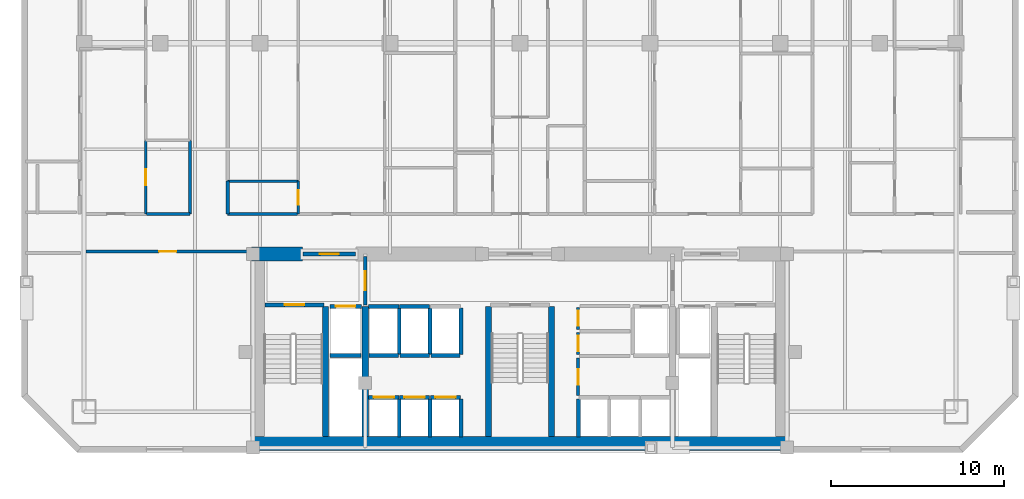
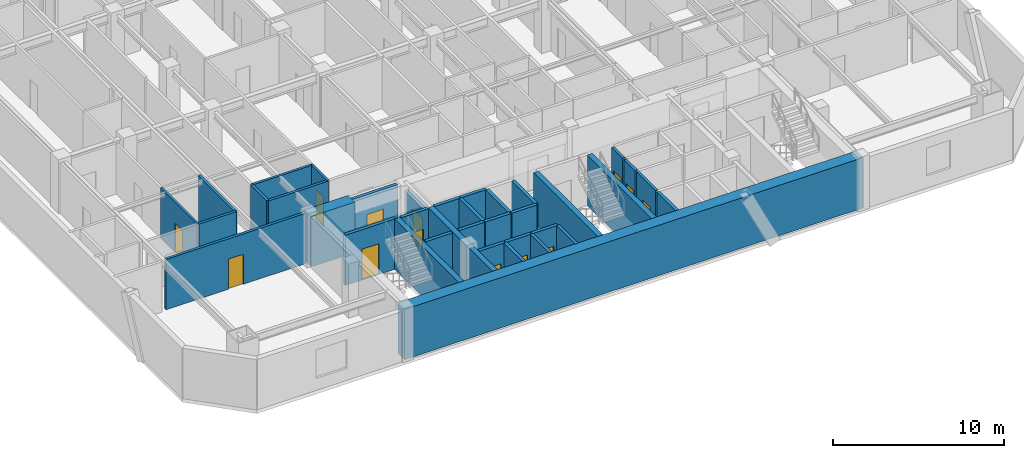
# One storey, part 3 of 10: 37 walls, 13 doors, 13 openings.
"""IFC4 building model written with IfcOpenShell, lengths in metres."""

from ifc_helpers import new_model, si_unit, direction, frame, frame_2d, origin, place, context, subcontext, project, spatial, rectangle, extrude, material, layer, layer_set, type_object, element, fill, save


model = new_model("IFC4")

# Units and contexts
model_context = context("Model", 3, precision=1e-05, world=origin(), true_north=direction((0.0, 1.0)))
body_context = subcontext(model_context, "Body", "Model", "MODEL_VIEW")
ifc_project = project(units=[si_unit("LENGTHUNIT", "METRE"), si_unit("AREAUNIT", "SQUARE_METRE"), si_unit("VOLUMEUNIT", "CUBIC_METRE"), si_unit("PLANEANGLEUNIT", "RADIAN"), si_unit("MASSUNIT", "GRAM", prefix="KILO")], contexts=[model_context])

# Site, building, storey
site_placement = place(None, origin())
site = spatial("IfcSite", under=ifc_project, at=site_placement, CompositionType="ELEMENT")
building_placement = place(site_placement, origin())
building = spatial("IfcBuilding", under=site, at=building_placement, Name="Ventersveld Concourse Tower", CompositionType="ELEMENT")
storey_placement = place(building_placement, frame((0.0, 0.0, 41.35009765625)))
storey = spatial("IfcBuildingStorey", under=building, at=storey_placement, Name="L09", CompositionType="ELEMENT", Elevation=41.35009765625)

# Walls
ifc_material_1 = material(Name="Concrete C60/75", Category="concrete")
ifc_layer_1 = layer(ifc_material_1, 0.35009765625)
ifc_layer_set_1 = layer_set([ifc_layer_1], Name="Concrete C60/75")
wall_type_1 = type_object("IfcWallType", Name="WL-CORE-350L", PredefinedType="SHEAR", material=ifc_layer_set_1)
for number, where, z_axis, x_axis, name in (
    (1, (17.5400390625, 0.919921875, 0.0), (0.0, 0.0, 1.0), (0.0, 1.0, 0.0), "L09 Core Internal Shear Web W-ST1-E"),
    (2, (19.820068359375, 0.919921875, 0.0), (0.0, 0.0, 1.0), (0.0, 1.0, 0.0), "L09 Core Internal Shear Web W-FF1-E"),
    (3, (26.93994140625, 0.919921875, 0.0), (0.0, 0.0, 1.0), (0.0, 1.0, 0.0), "L09 Core Internal Shear Web W-ST3-W"),
    (4, (30.56005859375, 0.919921875, 0.0), (0.0, 0.0, 1.0), (0.0, 1.0, 0.0), "L09 Core Internal Shear Web W-ST3-E"),
):
    element("IfcWall", number, at=place(storey_placement, frame(where, z_axis=z_axis, x_axis=x_axis)), inside=storey, type_object=wall_type_1, Name=name, PredefinedType="SHEAR", context=body_context, shape_type="SweptSolid", body=[
        extrude(rectangle(XDim=7.5, YDim=0.35009765625, at=frame_2d((3.75, 0.0))), origin(), (0.0, 0.0, 1.0), 3.599853515625),
    ])
ifc_layer_2 = layer(ifc_material_1, 0.800048828125)
ifc_layer_set_2 = layer_set([ifc_layer_2], Name="Concrete C60/75")
wall_type_2 = type_object("IfcWallType", Name="WL-CORE-800", PredefinedType="SHEAR", material=ifc_layer_set_2)
wall_1_placement = place(storey_placement, frame((13.25, 0.52001953125, 0.0), z_axis=(0.0, 0.0, 1.0), x_axis=(1.0, 0.0, 0.0)))
element("IfcWall", 5, at=wall_1_placement, inside=storey, type_object=wall_type_2, Name="L09 Rear Core South Shear Wall", PredefinedType="SHEAR", context=body_context, shape_type="SweptSolid", body=[
    extrude(rectangle(XDim=31.0, YDim=0.800048828125, at=frame_2d((15.5, 0.0))), origin(), (0.0, 0.0, 1.0), 3.599853515625),
])
wall_2_placement = place(storey_placement, frame((13.25, 11.449951171875, 0.0), z_axis=(0.0, 0.0, 1.0), x_axis=(1.0, 0.0, 0.0)))
element("IfcWall", 6, at=wall_2_placement, inside=storey, type_object=wall_type_2, Name="L09 Rear Core North Shear Wall NW", PredefinedType="SHEAR", context=body_context, shape_type="SweptSolid", body=[
    extrude(rectangle(XDim=2.949951171875, YDim=0.800048828125, at=frame_2d((1.47509765625, 0.0))), origin(), (0.0, 0.0, 1.0), 3.599853515625),
])

# Wall, opening, door
ifc_material_2 = material(Name="Fire-rated autoclaved aerated masonry blockwork", Category="masonry")
ifc_layer_3 = layer(ifc_material_2, 0.179931640625)
ifc_layer_set_3 = layer_set([ifc_layer_3], Name="Fire-rated autoclaved aerated masonry blockwork")
wall_type_3 = type_object("IfcWallType", Name="WL-CORR-180", PredefinedType="PARTITIONING", material=ifc_layer_set_3)
wall_3_placement = place(storey_placement, frame((32.10009765625, 5.64990234375, 0.0), z_axis=(0.0, 0.0, 1.0), x_axis=(0.0, 1.0, 0.0)))
wall_3 = element("IfcWall", 7, at=wall_3_placement, inside=storey, type_object=wall_type_3, Name="L09 Core Passage Wall SP-L09-CBAY1S", PredefinedType="PARTITIONING", context=body_context, shape_type="SweptSolid", body=[
    extrude(rectangle(XDim=1.27001953125, YDim=0.179931640625, at=frame_2d((0.635009765625, 0.0))), origin(), (0.0, 0.0, 1.0), 3.599853515625),
])
opening_1_placement = place(wall_3_placement, frame((0.195068359375, 0.0, 0.0)))
opening_1 = element("IfcOpeningElement", 8, at=opening_1_placement, cuts=wall_3, Name="Opening FD5", PredefinedType="OPENING", context=body_context, shape_type="SweptSolid", body=[
    extrude(rectangle(XDim=0.8798828125, YDim=2.050048828125, at=frame_2d((0.43994140625, 1.02490234375))), frame((0.0, 0.10009765625, 0.0), z_axis=(0.0, -1.0, 0.0), x_axis=(1.0, 0.0, 0.0)), (0.0, 0.0, 1.0), 0.199951171875),
])
ifc_material_3 = material(Name="Galvanised painted steel", Category="steel")
door_type_1 = type_object("IfcDoorType", Name="DR-RISER-088", OperationType="NOTDEFINED", PredefinedType="DOOR", material=ifc_material_3)
door_1_placement = place(opening_1_placement, origin())
door_1 = element("IfcDoor", 9, at=door_1_placement, inside=storey, type_object=door_type_1, Name="L09 Core Room Door L09 Core Cleaner Store (CD-L09-0303)", OperationType="SINGLE_SWING_RIGHT", OverallHeight=2.050048828125, OverallWidth=0.8798828125, PredefinedType="DOOR", context=body_context, shape_type="SweptSolid", body=[
    extrude(rectangle(XDim=0.8798828125, YDim=2.050048828125, at=frame_2d((0.43994140625, 1.02490234375))), frame((0.0, 0.02490234375, 0.0), z_axis=(0.0, -1.0, 0.0), x_axis=(1.0, 0.0, 0.0)), (0.0, 0.0, 1.0), 0.050048828125),
])
fill(opening_1, door_1)

wall_4_placement = place(storey_placement, frame((32.10009765625, 7.10009765625, 0.0), z_axis=(0.0, 0.0, 1.0), x_axis=(0.0, 1.0, 0.0)))
wall_4 = element("IfcWall", 10, at=wall_4_placement, inside=storey, type_object=wall_type_3, Name="L09 Core Passage Wall SP-L09-CBAY1N", PredefinedType="PARTITIONING", context=body_context, shape_type="SweptSolid", body=[
    extrude(rectangle(XDim=1.27978515625, YDim=0.179931640625, at=frame_2d((0.639892578125, 0.0))), origin(), (0.0, 0.0, 1.0), 3.599853515625),
])
opening_2_placement = place(wall_4_placement, frame((0.199951171875, 0.0, 0.0)))
opening_2 = element("IfcOpeningElement", 11, at=opening_2_placement, cuts=wall_4, Name="Opening FD5", PredefinedType="OPENING", context=body_context, shape_type="SweptSolid", body=[
    extrude(rectangle(XDim=0.8798828125, YDim=2.050048828125, at=frame_2d((0.43994140625, 1.02490234375))), frame((0.0, 0.10009765625, 0.0), z_axis=(0.0, -1.0, 0.0), x_axis=(1.0, 0.0, 0.0)), (0.0, 0.0, 1.0), 0.199951171875),
])
door_2_placement = place(opening_2_placement, origin())
door_2 = element("IfcDoor", 12, at=door_2_placement, inside=storey, type_object=door_type_1, Name="L09 Core Room Door L09 Core Concierge Desk Room (CD-L09-0304)", OperationType="SINGLE_SWING_LEFT", OverallHeight=2.050048828125, OverallWidth=0.8798828125, PredefinedType="DOOR", context=body_context, shape_type="SweptSolid", body=[
    extrude(rectangle(XDim=0.8798828125, YDim=2.050048828125, at=frame_2d((0.43994140625, 1.02490234375))), frame((0.0, 0.02490234375, 0.0), z_axis=(0.0, -1.0, 0.0), x_axis=(1.0, 0.0, 0.0)), (0.0, 0.0, 1.0), 0.050048828125),
])
fill(opening_2, door_2)

wall_5_placement = place(storey_placement, frame((32.10009765625, 3.280029296875, 0.0), z_axis=(0.0, 0.0, 1.0), x_axis=(0.0, 1.0, 0.0)))
wall_5 = element("IfcWall", 13, at=wall_5_placement, inside=storey, type_object=wall_type_3, Name="L09 Core Passage Wall SP-L09-CBAY2", PredefinedType="PARTITIONING", context=body_context, shape_type="SweptSolid", body=[
    extrude(rectangle(XDim=2.169921875, YDim=0.179931640625, at=frame_2d((1.0849609375, 0.0))), origin(), (0.0, 0.0, 1.0), 3.599853515625),
])
opening_3_placement = place(wall_5_placement, frame((0.64501953125, 0.0, 0.0)))
opening_3 = element("IfcOpeningElement", 14, at=opening_3_placement, cuts=wall_5, Name="Opening FD5", PredefinedType="OPENING", context=body_context, shape_type="SweptSolid", body=[
    extrude(rectangle(XDim=0.8798828125, YDim=2.050048828125, at=frame_2d((0.43994140625, 1.02490234375))), frame((0.0, 0.10009765625, 0.0), z_axis=(0.0, -1.0, 0.0), x_axis=(1.0, 0.0, 0.0)), (0.0, 0.0, 1.0), 0.199951171875),
])
door_3_placement = place(opening_3_placement, origin())
door_3 = element("IfcDoor", 15, at=door_3_placement, inside=storey, type_object=door_type_1, Name="L09 Core Room Door L09 Core Linen Alcove Store (CD-L09-0305)", OperationType="SINGLE_SWING_RIGHT", OverallHeight=2.050048828125, OverallWidth=0.8798828125, PredefinedType="DOOR", context=body_context, shape_type="SweptSolid", body=[
    extrude(rectangle(XDim=0.8798828125, YDim=2.050048828125, at=frame_2d((0.43994140625, 1.02490234375))), frame((0.0, 0.02490234375, 0.0), z_axis=(0.0, -1.0, 0.0), x_axis=(1.0, 0.0, 0.0)), (0.0, 0.0, 1.0), 0.050048828125),
])
fill(opening_3, door_3)

wall_6_placement = place(storey_placement, frame((3.705078125, 11.60009765625, 0.0), z_axis=(0.0, 0.0, 1.0), x_axis=(1.0, 0.0, 0.0)))
wall_6 = element("IfcWall", 16, at=wall_6_placement, inside=storey, type_object=wall_type_3, Name="L09 Interior Partition SP-L09-SW-GAL-SP-L09-COR", PredefinedType="PARTITIONING", context=body_context, shape_type="SweptSolid", body=[
    extrude(rectangle(XDim=9.43994140625, YDim=0.179931640625, at=frame_2d((4.719970703125, 0.0))), origin(), (0.0, 0.0, 1.0), 3.599853515625),
])
opening_4_placement = place(wall_6_placement, frame((4.219970703125, 0.0, 0.0)))
opening_4 = element("IfcOpeningElement", 17, at=opening_4_placement, cuts=wall_6, Name="Opening FD3", PredefinedType="OPENING", context=body_context, shape_type="SweptSolid", body=[
    extrude(rectangle(XDim=1.0, YDim=2.14990234375, at=frame_2d((0.5, 1.074951171875))), frame((0.0, 0.10009765625, 0.0), z_axis=(0.0, -1.0, 0.0), x_axis=(1.0, 0.0, 0.0)), (0.0, 0.0, 1.0), 0.199951171875),
])
ifc_material_4 = material(Name="Solid-core hardwood veneer timber", Category="wood")
door_type_2 = type_object("IfcDoorType", Name="DR-FLAT-100", OperationType="NOTDEFINED", PredefinedType="DOOR", material=ifc_material_4)
door_4_placement = place(opening_4_placement, origin())
door_4 = element("IfcDoor", 18, at=door_4_placement, inside=storey, type_object=door_type_2, Name="L09 Interior Door SP-L09-SW-GAL to SP-L09-COR (D-L09-0306)", OperationType="SINGLE_SWING_RIGHT", OverallHeight=2.14990234375, OverallWidth=1.0, PredefinedType="DOOR", context=body_context, shape_type="SweptSolid", body=[
    extrude(rectangle(XDim=1.0, YDim=2.14990234375, at=frame_2d((0.5, 1.074951171875))), frame((0.0, 0.02490234375, 0.0), z_axis=(0.0, -1.0, 0.0), x_axis=(1.0, 0.0, 0.0)), (0.0, 0.0, 1.0), 0.050048828125),
])
fill(opening_4, door_4)

# Walls
wall_7_placement = place(storey_placement, frame((9.7099609375, 13.764892578125, 0.0), z_axis=(0.0, 0.0, 1.0), x_axis=(0.0, 1.0, 0.0)))
element("IfcWall", 19, at=wall_7_placement, inside=storey, type_object=wall_type_3, Name="L09 Interior Partition SP-L09-COR-SP-L09-09NW-KIT", PredefinedType="PARTITIONING", context=body_context, shape_type="SweptSolid", body=[
    extrude(rectangle(XDim=4.24560546875, YDim=0.179931640625, at=frame_2d((2.122802734375, 0.0))), origin(), (0.0, 0.0, 1.0), 3.599853515625),
])
wall_8_placement = place(storey_placement, frame((7.197998046875, 13.77001953125, 0.0), z_axis=(0.0, 0.0, 1.0), x_axis=(1.0, 0.0, 0.0)))
element("IfcWall", 20, at=wall_8_placement, inside=storey, type_object=wall_type_3, Name="L09 Interior Partition SP-L09-COR-SP-L09-09NW-KIT", PredefinedType="PARTITIONING", context=body_context, shape_type="SweptSolid", body=[
    extrude(rectangle(XDim=2.51708984375, YDim=0.179931640625, at=frame_2d((1.258544921875, 0.0))), origin(), (0.0, 0.0, 1.0), 3.599853515625),
])
wall_9_placement = place(storey_placement, frame((11.885009765625, 13.77001953125, 0.0), z_axis=(0.0, 0.0, 1.0), x_axis=(1.0, 0.0, 0.0)))
element("IfcWall", 21, at=wall_9_placement, inside=storey, type_object=wall_type_3, Name="L09 Interior Partition SP-L09-COR-SP-L09-09CW-BATH", PredefinedType="PARTITIONING", context=body_context, shape_type="SweptSolid", body=[
    extrude(rectangle(XDim=4.0400390625, YDim=0.179931640625, at=frame_2d((2.02001953125, 0.0))), origin(), (0.0, 0.0, 1.0), 3.599853515625),
])
wall_10_placement = place(storey_placement, frame((11.889892578125, 13.764892578125, 0.0), z_axis=(0.0, 0.0, 1.0), x_axis=(0.0, 1.0, 0.0)))
element("IfcWall", 22, at=wall_10_placement, inside=storey, type_object=wall_type_3, Name="L09 Interior Partition SP-L09-COR-SP-L09-09CW-BATH", PredefinedType="PARTITIONING", context=body_context, shape_type="SweptSolid", body=[
    extrude(rectangle(XDim=1.88671875, YDim=0.179931640625, at=frame_2d((0.943359375, 0.0))), origin(), (0.0, 0.0, 1.0), 3.599853515625),
])
ifc_layer_4 = layer(ifc_material_2, 0.219970703125)
ifc_layer_set_4 = layer_set([ifc_layer_4], Name="Fire-rated autoclaved aerated masonry blockwork")
wall_type_4 = type_object("IfcWallType", Name="WL-HOIST-220", PredefinedType="SOLIDWALL", material=ifc_layer_set_4)
wall_11_placement = place(storey_placement, frame((17.800048828125, 5.590087890625, 0.0), z_axis=(0.0, 0.0, 1.0), x_axis=(1.0, 0.0, 0.0)))
element("IfcWall", 23, at=wall_11_placement, inside=storey, type_object=wall_type_4, Name="L09 Lift Hoistway Back Wall FFL-01", PredefinedType="SOLIDWALL", context=body_context, shape_type="SweptSolid", body=[
    extrude(rectangle(XDim=1.780029296875, YDim=0.219970703125, at=frame_2d((0.89013671875, 0.0))), origin(), (0.0, 0.0, 1.0), 3.599853515625),
])

# Wall, opening, door
wall_12_placement = place(storey_placement, frame((17.780029296875, 8.429931640625, 0.0), z_axis=(0.0, 0.0, 1.0), x_axis=(1.0, 0.0, 0.0)))
wall_12 = element("IfcWall", 24, at=wall_12_placement, inside=storey, type_object=wall_type_4, Name="L09 Lift Hoistway Front Wall FFL-01", PredefinedType="SOLIDWALL", context=body_context, shape_type="SweptSolid", body=[
    extrude(rectangle(XDim=1.820068359375, YDim=0.219970703125, at=frame_2d((0.91015625, 0.0))), origin(), (0.0, 0.0, 1.0), 3.599853515625),
])
opening_5_placement = place(wall_12_placement, frame((0.35009765625, 0.0, 0.0)))
opening_5 = element("IfcOpeningElement", 25, at=opening_5_placement, cuts=wall_12, Name="Opening LD1", PredefinedType="OPENING", context=body_context, shape_type="SweptSolid", body=[
    extrude(rectangle(XDim=1.1201171875, YDim=2.25, at=frame_2d((0.56005859375, 1.125))), frame((0.0, 0.1201171875, 0.0), z_axis=(0.0, -1.0, 0.0), x_axis=(1.0, 0.0, 0.0)), (0.0, 0.0, 1.0), 0.239990234375),
])
ifc_material_5 = material(Name="Brushed stainless steel 316", Category="steel")
door_type_3 = type_object("IfcDoorType", Name="LD-FF-112", OperationType="SLIDING_TO_LEFT", PredefinedType="DOOR", material=ifc_material_5)
door_5_placement = place(opening_5_placement, origin())
door_5 = element("IfcDoor", 26, at=door_5_placement, inside=storey, type_object=door_type_3, Name="L09 Lift landing door FFL-01 (LD-L09-FFL-01)", OperationType="SLIDING_TO_LEFT", OverallHeight=2.25, OverallWidth=1.1201171875, PredefinedType="DOOR", context=body_context, shape_type="SweptSolid", body=[
    extrude(rectangle(XDim=1.1201171875, YDim=2.25, at=frame_2d((0.56005859375, 1.125))), frame((0.0, 0.02490234375, 0.0), z_axis=(0.0, -1.0, 0.0), x_axis=(1.0, 0.0, 0.0)), (0.0, 0.0, 1.0), 0.050048828125),
])
fill(opening_5, door_5)

# Wall
wall_13_placement = place(storey_placement, frame((21.780029296875, 0.89990234375, 0.0), z_axis=(0.0, 0.0, 1.0), x_axis=(0.0, 1.0, 0.0)))
element("IfcWall", 27, at=wall_13_placement, inside=storey, type_object=wall_type_4, Name="L09 Lift Hoistway Side Wall PL-01E", PredefinedType="SOLIDWALL", context=body_context, shape_type="SweptSolid", body=[
    extrude(rectangle(XDim=2.2001953125, YDim=0.219970703125, at=frame_2d((1.10009765625, 0.0))), origin(), (0.0, 0.0, 1.0), 3.599853515625),
])

# Wall, opening, door
wall_14_placement = place(storey_placement, frame((20.02001953125, 3.179931640625, 0.0), z_axis=(0.0, 0.0, 1.0), x_axis=(1.0, 0.0, 0.0)))
wall_14 = element("IfcWall", 28, at=wall_14_placement, inside=storey, type_object=wall_type_4, Name="L09 Lift Hoistway Front Wall PL-01", PredefinedType="SOLIDWALL", context=body_context, shape_type="SweptSolid", body=[
    extrude(rectangle(XDim=1.739990234375, YDim=0.219970703125, at=frame_2d((0.8701171875, 0.0))), origin(), (0.0, 0.0, 1.0), 3.599853515625),
])
opening_6_placement = place(wall_14_placement, frame((0.280029296875, 0.0, 0.0)))
opening_6 = element("IfcOpeningElement", 29, at=opening_6_placement, cuts=wall_14, Name="Opening LD2", PredefinedType="OPENING", context=body_context, shape_type="SweptSolid", body=[
    extrude(rectangle(XDim=1.179931640625, YDim=2.199951171875, at=frame_2d((0.58984375, 1.10009765625))), frame((0.0, 0.1201171875, 0.0), z_axis=(0.0, -1.0, 0.0), x_axis=(1.0, 0.0, 0.0)), (0.0, 0.0, 1.0), 0.239990234375),
])
door_type_4 = type_object("IfcDoorType", Name="LD-PAX-118", OperationType="SLIDING_TO_LEFT", PredefinedType="DOOR", material=ifc_material_5)
door_6_placement = place(opening_6_placement, origin())
door_6 = element("IfcDoor", 30, at=door_6_placement, inside=storey, type_object=door_type_4, Name="L09 Lift landing door PL-01 (LD-L09-PL-01)", OperationType="SLIDING_TO_RIGHT", OverallHeight=2.199951171875, OverallWidth=1.179931640625, PredefinedType="DOOR", context=body_context, shape_type="SweptSolid", body=[
    extrude(rectangle(XDim=1.179931640625, YDim=2.199951171875, at=frame_2d((0.58984375, 1.10009765625))), frame((0.0, 0.02490234375, 0.0), z_axis=(0.0, -1.0, 0.0), x_axis=(1.0, 0.0, 0.0)), (0.0, 0.0, 1.0), 0.050048828125),
])
fill(opening_6, door_6)

# Wall
wall_15_placement = place(storey_placement, frame((23.56005859375, 0.89990234375, 0.0), z_axis=(0.0, 0.0, 1.0), x_axis=(0.0, 1.0, 0.0)))
element("IfcWall", 31, at=wall_15_placement, inside=storey, type_object=wall_type_4, Name="L09 Lift Hoistway Side Wall PL-02E", PredefinedType="SOLIDWALL", context=body_context, shape_type="SweptSolid", body=[
    extrude(rectangle(XDim=2.2001953125, YDim=0.219970703125, at=frame_2d((1.10009765625, 0.0))), origin(), (0.0, 0.0, 1.0), 3.599853515625),
])

# Wall, opening, door
wall_16_placement = place(storey_placement, frame((21.800048828125, 3.179931640625, 0.0), z_axis=(0.0, 0.0, 1.0), x_axis=(1.0, 0.0, 0.0)))
wall_16 = element("IfcWall", 32, at=wall_16_placement, inside=storey, type_object=wall_type_4, Name="L09 Lift Hoistway Front Wall PL-02", PredefinedType="SOLIDWALL", context=body_context, shape_type="SweptSolid", body=[
    extrude(rectangle(XDim=1.739990234375, YDim=0.219970703125, at=frame_2d((0.8701171875, 0.0))), origin(), (0.0, 0.0, 1.0), 3.599853515625),
])
opening_7_placement = place(wall_16_placement, frame((0.280029296875, 0.0, 0.0)))
opening_7 = element("IfcOpeningElement", 33, at=opening_7_placement, cuts=wall_16, Name="Opening LD2", PredefinedType="OPENING", context=body_context, shape_type="SweptSolid", body=[
    extrude(rectangle(XDim=1.179931640625, YDim=2.199951171875, at=frame_2d((0.58984375, 1.10009765625))), frame((0.0, 0.1201171875, 0.0), z_axis=(0.0, -1.0, 0.0), x_axis=(1.0, 0.0, 0.0)), (0.0, 0.0, 1.0), 0.239990234375),
])
door_7_placement = place(opening_7_placement, origin())
door_7 = element("IfcDoor", 34, at=door_7_placement, inside=storey, type_object=door_type_4, Name="L09 Lift landing door PL-02 (LD-L09-PL-02)", OperationType="SLIDING_TO_LEFT", OverallHeight=2.199951171875, OverallWidth=1.179931640625, PredefinedType="DOOR", context=body_context, shape_type="SweptSolid", body=[
    extrude(rectangle(XDim=1.179931640625, YDim=2.199951171875, at=frame_2d((0.58984375, 1.10009765625))), frame((0.0, 0.02490234375, 0.0), z_axis=(0.0, -1.0, 0.0), x_axis=(1.0, 0.0, 0.0)), (0.0, 0.0, 1.0), 0.050048828125),
])
fill(opening_7, door_7)

# Wall
wall_17_placement = place(storey_placement, frame((25.340087890625, 0.89990234375, 0.0), z_axis=(0.0, 0.0, 1.0), x_axis=(0.0, 1.0, 0.0)))
element("IfcWall", 35, at=wall_17_placement, inside=storey, type_object=wall_type_4, Name="L09 Lift Hoistway Side Wall PL-03E", PredefinedType="SOLIDWALL", context=body_context, shape_type="SweptSolid", body=[
    extrude(rectangle(XDim=2.2001953125, YDim=0.219970703125, at=frame_2d((1.10009765625, 0.0))), origin(), (0.0, 0.0, 1.0), 3.599853515625),
])

# Wall, opening, door
wall_18_placement = place(storey_placement, frame((23.580078125, 3.179931640625, 0.0), z_axis=(0.0, 0.0, 1.0), x_axis=(1.0, 0.0, 0.0)))
wall_18 = element("IfcWall", 36, at=wall_18_placement, inside=storey, type_object=wall_type_4, Name="L09 Lift Hoistway Front Wall PL-03", PredefinedType="SOLIDWALL", context=body_context, shape_type="SweptSolid", body=[
    extrude(rectangle(XDim=1.739990234375, YDim=0.219970703125, at=frame_2d((0.8701171875, 0.0))), origin(), (0.0, 0.0, 1.0), 3.599853515625),
])
opening_8_placement = place(wall_18_placement, frame((0.280029296875, 0.0, 0.0)))
opening_8 = element("IfcOpeningElement", 37, at=opening_8_placement, cuts=wall_18, Name="Opening LD2", PredefinedType="OPENING", context=body_context, shape_type="SweptSolid", body=[
    extrude(rectangle(XDim=1.179931640625, YDim=2.199951171875, at=frame_2d((0.58984375, 1.10009765625))), frame((0.0, 0.1201171875, 0.0), z_axis=(0.0, -1.0, 0.0), x_axis=(1.0, 0.0, 0.0)), (0.0, 0.0, 1.0), 0.239990234375),
])
door_8_placement = place(opening_8_placement, origin())
door_8 = element("IfcDoor", 38, at=door_8_placement, inside=storey, type_object=door_type_4, Name="L09 Lift landing door PL-03 (LD-L09-PL-03)", OperationType="SLIDING_TO_RIGHT", OverallHeight=2.199951171875, OverallWidth=1.179931640625, PredefinedType="DOOR", context=body_context, shape_type="SweptSolid", body=[
    extrude(rectangle(XDim=1.179931640625, YDim=2.199951171875, at=frame_2d((0.58984375, 1.10009765625))), frame((0.0, 0.02490234375, 0.0), z_axis=(0.0, -1.0, 0.0), x_axis=(1.0, 0.0, 0.0)), (0.0, 0.0, 1.0), 0.050048828125),
])
fill(opening_8, door_8)

# Walls
wall_19_placement = place(storey_placement, frame((32.1201171875, 0.89990234375, 0.0), z_axis=(0.0, 0.0, 1.0), x_axis=(0.0, 1.0, 0.0)))
element("IfcWall", 39, at=wall_19_placement, inside=storey, type_object=wall_type_4, Name="L09 Lift Hoistway Side Wall PM-01W", PredefinedType="SOLIDWALL", context=body_context, shape_type="SweptSolid", body=[
    extrude(rectangle(XDim=2.2001953125, YDim=0.219970703125, at=frame_2d((1.10009765625, 0.0))), origin(), (0.0, 0.0, 1.0), 3.599853515625),
])
wall_20_placement = place(storey_placement, frame((20.0400390625, 5.590087890625, 0.0), z_axis=(0.0, 0.0, 1.0), x_axis=(1.0, 0.0, 0.0)))
element("IfcWall", 40, at=wall_20_placement, inside=storey, type_object=wall_type_4, Name="L09 Lift Hoistway Back Wall PH-01", PredefinedType="SOLIDWALL", context=body_context, shape_type="SweptSolid", body=[
    extrude(rectangle(XDim=1.699951171875, YDim=0.219970703125, at=frame_2d((0.85009765625, 0.0))), origin(), (0.0, 0.0, 1.0), 3.599853515625),
])
wall_21_placement = place(storey_placement, frame((21.780029296875, 5.64990234375, 0.0), z_axis=(0.0, 0.0, 1.0), x_axis=(0.0, 1.0, 0.0)))
element("IfcWall", 41, at=wall_21_placement, inside=storey, type_object=wall_type_4, Name="L09 Lift Hoistway Side Wall PH-01E", PredefinedType="SOLIDWALL", context=body_context, shape_type="SweptSolid", body=[
    extrude(rectangle(XDim=2.7001953125, YDim=0.219970703125, at=frame_2d((1.35009765625, 0.0))), origin(), (0.0, 0.0, 1.0), 3.599853515625),
])
wall_22_placement = place(storey_placement, frame((20.02001953125, 8.429931640625, 0.0), z_axis=(0.0, 0.0, 1.0), x_axis=(1.0, 0.0, 0.0)))
element("IfcWall", 42, at=wall_22_placement, inside=storey, type_object=wall_type_4, Name="L09 Lift Hoistway Front Wall PH-01", PredefinedType="SOLIDWALL", context=body_context, shape_type="SweptSolid", body=[
    extrude(rectangle(XDim=1.739990234375, YDim=0.219970703125, at=frame_2d((0.8701171875, 0.0))), origin(), (0.0, 0.0, 1.0), 3.599853515625),
])
wall_23_placement = place(storey_placement, frame((21.820068359375, 5.590087890625, 0.0), z_axis=(0.0, 0.0, 1.0), x_axis=(1.0, 0.0, 0.0)))
element("IfcWall", 43, at=wall_23_placement, inside=storey, type_object=wall_type_4, Name="L09 Lift Hoistway Back Wall PH-02", PredefinedType="SOLIDWALL", context=body_context, shape_type="SweptSolid", body=[
    extrude(rectangle(XDim=1.699951171875, YDim=0.219970703125, at=frame_2d((0.85009765625, 0.0))), origin(), (0.0, 0.0, 1.0), 3.599853515625),
])
wall_24_placement = place(storey_placement, frame((23.56005859375, 5.64990234375, 0.0), z_axis=(0.0, 0.0, 1.0), x_axis=(0.0, 1.0, 0.0)))
element("IfcWall", 44, at=wall_24_placement, inside=storey, type_object=wall_type_4, Name="L09 Lift Hoistway Side Wall PH-02E", PredefinedType="SOLIDWALL", context=body_context, shape_type="SweptSolid", body=[
    extrude(rectangle(XDim=2.7001953125, YDim=0.219970703125, at=frame_2d((1.35009765625, 0.0))), origin(), (0.0, 0.0, 1.0), 3.599853515625),
])
wall_25_placement = place(storey_placement, frame((21.800048828125, 8.429931640625, 0.0), z_axis=(0.0, 0.0, 1.0), x_axis=(1.0, 0.0, 0.0)))
element("IfcWall", 45, at=wall_25_placement, inside=storey, type_object=wall_type_4, Name="L09 Lift Hoistway Front Wall PH-02", PredefinedType="SOLIDWALL", context=body_context, shape_type="SweptSolid", body=[
    extrude(rectangle(XDim=1.739990234375, YDim=0.219970703125, at=frame_2d((0.8701171875, 0.0))), origin(), (0.0, 0.0, 1.0), 3.599853515625),
])
wall_26_placement = place(storey_placement, frame((23.60009765625, 5.590087890625, 0.0), z_axis=(0.0, 0.0, 1.0), x_axis=(1.0, 0.0, 0.0)))
element("IfcWall", 46, at=wall_26_placement, inside=storey, type_object=wall_type_4, Name="L09 Lift Hoistway Back Wall PH-03", PredefinedType="SOLIDWALL", context=body_context, shape_type="SweptSolid", body=[
    extrude(rectangle(XDim=1.699951171875, YDim=0.219970703125, at=frame_2d((0.85009765625, 0.0))), origin(), (0.0, 0.0, 1.0), 3.599853515625),
])
wall_27_placement = place(storey_placement, frame((25.340087890625, 5.64990234375, 0.0), z_axis=(0.0, 0.0, 1.0), x_axis=(0.0, 1.0, 0.0)))
element("IfcWall", 47, at=wall_27_placement, inside=storey, type_object=wall_type_4, Name="L09 Lift Hoistway Side Wall PH-03E", PredefinedType="SOLIDWALL", context=body_context, shape_type="SweptSolid", body=[
    extrude(rectangle(XDim=2.7001953125, YDim=0.219970703125, at=frame_2d((1.35009765625, 0.0))), origin(), (0.0, 0.0, 1.0), 3.599853515625),
])

# Wall, opening, door
wall_28_placement = place(storey_placement, frame((14.0400390625, 8.52001953125, 0.0), z_axis=(0.0, 0.0, 1.0), x_axis=(1.0, 0.0, 0.0)))
wall_28 = element("IfcWall", 48, at=wall_28_placement, inside=storey, type_object=wall_type_4, Name="L09 Escape Stair ST01 Fire Wall", PredefinedType="SOLIDWALL", context=body_context, shape_type="SweptSolid", body=[
    extrude(rectangle(XDim=3.39990234375, YDim=0.219970703125, at=frame_2d((1.699951171875, 0.0))), origin(), (0.0, 0.0, 1.0), 3.599853515625),
])
opening_9_placement = place(wall_28_placement, frame((1.125, 0.0, 0.0)))
opening_9 = element("IfcOpeningElement", 49, at=opening_9_placement, cuts=wall_28, Name="Opening FD1", PredefinedType="OPENING", context=body_context, shape_type="SweptSolid", body=[
    extrude(rectangle(XDim=1.14990234375, YDim=2.199951171875, at=frame_2d((0.574951171875, 1.10009765625))), frame((0.0, 0.1201171875, 0.0), z_axis=(0.0, -1.0, 0.0), x_axis=(1.0, 0.0, 0.0)), (0.0, 0.0, 1.0), 0.239990234375),
])
door_type_5 = type_object("IfcDoorType", Name="DR-STAIR-115", OperationType="NOTDEFINED", PredefinedType="DOOR", material=ifc_material_3)
door_9_placement = place(opening_9_placement, origin())
door_9 = element("IfcDoor", 50, at=door_9_placement, inside=storey, type_object=door_type_5, Name="L09 Escape Stair Door ST01 (SD-L09-0295)", OperationType="SINGLE_SWING_LEFT", OverallHeight=2.199951171875, OverallWidth=1.14990234375, PredefinedType="DOOR", context=body_context, shape_type="SweptSolid", body=[
    extrude(rectangle(XDim=1.14990234375, YDim=2.199951171875, at=frame_2d((0.574951171875, 1.10009765625))), frame((0.0, 0.02490234375, 0.0), z_axis=(0.0, -1.0, 0.0), x_axis=(1.0, 0.0, 0.0)), (0.0, 0.0, 1.0), 0.050048828125),
])
fill(opening_9, door_9)

wall_29_placement = place(storey_placement, frame((19.820068359375, 8.52001953125, 0.0), z_axis=(0.0, 0.0, 1.0), x_axis=(0.0, 1.0, 0.0)))
wall_29 = element("IfcWall", 51, at=wall_29_placement, inside=storey, type_object=wall_type_4, Name="L09 Firefighting Lobby Smoke-Stop Wall FFLW-SEP", PredefinedType="SOLIDWALL", context=body_context, shape_type="SweptSolid", body=[
    extrude(rectangle(XDim=2.800048828125, YDim=0.219970703125, at=frame_2d((1.39990234375, 0.0))), origin(), (0.0, 0.0, 1.0), 3.055419921875),
])
opening_10_placement = place(wall_29_placement, frame((0.85009765625, 0.0, 0.0)))
opening_10 = element("IfcOpeningElement", 52, at=opening_10_placement, cuts=wall_29, Name="Opening FD2", PredefinedType="OPENING", context=body_context, shape_type="SweptSolid", body=[
    extrude(rectangle(XDim=1.10009765625, YDim=2.199951171875, at=frame_2d((0.550048828125, 1.10009765625))), frame((0.0, 0.1201171875, 0.0), z_axis=(0.0, -1.0, 0.0), x_axis=(1.0, 0.0, 0.0)), (0.0, 0.0, 1.0), 0.239990234375),
])
door_type_6 = type_object("IfcDoorType", Name="DR-FFL-110", OperationType="NOTDEFINED", PredefinedType="DOOR", material=ifc_material_3)
door_10_placement = place(opening_10_placement, origin())
door_10 = element("IfcDoor", 53, at=door_10_placement, inside=storey, type_object=door_type_6, Name="L09 Firefighting Lobby Door FFLW-SEP (FD-L09-0298)", OperationType="SINGLE_SWING_LEFT", OverallHeight=2.199951171875, OverallWidth=1.10009765625, PredefinedType="DOOR", context=body_context, shape_type="SweptSolid", body=[
    extrude(rectangle(XDim=1.10009765625, YDim=2.199951171875, at=frame_2d((0.550048828125, 1.10009765625))), frame((0.0, 0.02490234375, 0.0), z_axis=(0.0, -1.0, 0.0), x_axis=(1.0, 0.0, 0.0)), (0.0, 0.0, 1.0), 0.050048828125),
])
fill(opening_10, door_10)

wall_30_placement = place(storey_placement, frame((16.22998046875, 11.449951171875, 0.0), z_axis=(0.0, 0.0, 1.0), x_axis=(1.0, 0.0, 0.0)))
wall_30 = element("IfcWall", 54, at=wall_30_placement, inside=storey, type_object=wall_type_4, Name="L09 Core North Fire Portal FFLW-OUT", PredefinedType="SOLIDWALL", context=body_context, shape_type="SweptSolid", body=[
    extrude(rectangle(XDim=3.0400390625, YDim=0.219970703125, at=frame_2d((1.52001953125, 0.0))), origin(), (0.0, 0.0, 1.0), 3.599853515625),
])
opening_11_placement = place(wall_30_placement, frame((0.969970703125, 0.0, 0.0)))
opening_11 = element("IfcOpeningElement", 55, at=opening_11_placement, cuts=wall_30, Name="Opening FD2", PredefinedType="OPENING", context=body_context, shape_type="SweptSolid", body=[
    extrude(rectangle(XDim=1.10009765625, YDim=2.199951171875, at=frame_2d((0.550048828125, 1.10009765625))), frame((0.0, 0.1201171875, 0.0), z_axis=(0.0, -1.0, 0.0), x_axis=(1.0, 0.0, 0.0)), (0.0, 0.0, 1.0), 0.239990234375),
])
door_11_placement = place(opening_11_placement, origin())
door_11 = element("IfcDoor", 56, at=door_11_placement, inside=storey, type_object=door_type_6, Name="L09 Core Lobby Fire Door FFLW-OUT (FD-L09-0300)", OperationType="SINGLE_SWING_RIGHT", OverallHeight=2.199951171875, OverallWidth=1.10009765625, PredefinedType="DOOR", context=body_context, shape_type="SweptSolid", body=[
    extrude(rectangle(XDim=1.10009765625, YDim=2.199951171875, at=frame_2d((0.550048828125, 1.10009765625))), frame((0.0, 0.02490234375, 0.0), z_axis=(0.0, -1.0, 0.0), x_axis=(1.0, 0.0, 0.0)), (0.0, 0.0, 1.0), 0.050048828125),
])
fill(opening_11, door_11)

ifc_material_6 = material(Name="Autoclaved aerated masonry blockwork", Category="masonry")
ifc_layer_5 = layer(ifc_material_6, 0.14990234375)
ifc_layer_set_5 = layer_set([ifc_layer_5], Name="Autoclaved aerated masonry blockwork")
wall_type_5 = type_object("IfcWallType", Name="WL-INT-150", PredefinedType="PARTITIONING", material=ifc_layer_set_5)
wall_31_placement = place(storey_placement, frame((7.162841796875, 13.764892578125, 0.0), z_axis=(0.0, 0.0, 1.0), x_axis=(0.0, 1.0, 0.0)))
wall_31 = element("IfcWall", 57, at=wall_31_placement, inside=storey, type_object=wall_type_5, Name="L09 Interior Partition SP-L09-09NW-FOY-SP-L09-09NW-KIT", PredefinedType="PARTITIONING", context=body_context, shape_type="SweptSolid", body=[
    extrude(rectangle(XDim=4.24560546875, YDim=0.14990234375, at=frame_2d((2.122802734375, 0.0))), origin(), (0.0, 0.0, 1.0), 3.599853515625),
])
opening_12_placement = place(wall_31_placement, frame((1.662841796875, 0.0, 0.0)))
opening_12 = element("IfcOpeningElement", 58, at=opening_12_placement, cuts=wall_31, Name="Opening ID1", PredefinedType="OPENING", context=body_context, shape_type="SweptSolid", body=[
    extrude(rectangle(XDim=0.919921875, YDim=2.10009765625, at=frame_2d((0.4599609375, 1.050048828125))), frame((0.0, 0.0849609375, 0.0), z_axis=(0.0, -1.0, 0.0), x_axis=(1.0, 0.0, 0.0)), (0.0, 0.0, 1.0), 0.169921875),
])
door_type_7 = type_object("IfcDoorType", Name="DR-ROOM-092", OperationType="NOTDEFINED", PredefinedType="DOOR", material=ifc_material_4)
door_12_placement = place(opening_12_placement, origin())
door_12 = element("IfcDoor", 59, at=door_12_placement, inside=storey, type_object=door_type_7, Name="L09 Interior Door SP-L09-09NW-FOY to SP-L09-09NW-KIT (D-L09-0316)", OperationType="SINGLE_SWING_RIGHT", OverallHeight=2.10009765625, OverallWidth=0.919921875, PredefinedType="DOOR", context=body_context, shape_type="SweptSolid", body=[
    extrude(rectangle(XDim=0.919921875, YDim=2.10009765625, at=frame_2d((0.4599609375, 1.050048828125))), frame((0.0, 0.02490234375, 0.0), z_axis=(0.0, -1.0, 0.0), x_axis=(1.0, 0.0, 0.0)), (0.0, 0.0, 1.0), 0.050048828125),
])
fill(opening_12, door_12)

ifc_layer_6 = layer(ifc_material_6, 0.1650390625)
ifc_layer_set_6 = layer_set([ifc_layer_6], Name="Autoclaved aerated masonry blockwork")
wall_type_6 = type_object("IfcWallType", Name="WL-WET-165", PredefinedType="PLUMBINGWALL", material=ifc_layer_set_6)
wall_32_placement = place(storey_placement, frame((15.9599609375, 13.764892578125, 0.0), z_axis=(0.0, 0.0, 1.0), x_axis=(0.0, 1.0, 0.0)))
wall_32 = element("IfcWall", 60, at=wall_32_placement, inside=storey, type_object=wall_type_6, Name="L09 Interior Partition SP-L09-09CW-FOY-SP-L09-09CW-BATH", PredefinedType="PLUMBINGWALL", context=body_context, shape_type="SweptSolid", body=[
    extrude(rectangle(XDim=1.88671875, YDim=0.1650390625, at=frame_2d((0.943359375, 0.0))), origin(), (0.0, 0.0, 1.0), 3.599853515625),
])
opening_13_placement = place(wall_32_placement, frame((0.518310546875, 0.0, 0.0)))
opening_13 = element("IfcOpeningElement", 61, at=opening_13_placement, cuts=wall_32, Name="Opening ID2", PredefinedType="OPENING", context=body_context, shape_type="SweptSolid", body=[
    extrude(rectangle(XDim=0.85009765625, YDim=2.10009765625, at=frame_2d((0.425048828125, 1.050048828125))), frame((0.0, 0.092529296875, 0.0), z_axis=(0.0, -1.0, 0.0), x_axis=(1.0, 0.0, 0.0)), (0.0, 0.0, 1.0), 0.18505859375),
])
door_type_8 = type_object("IfcDoorType", Name="DR-BATH-085", OperationType="NOTDEFINED", PredefinedType="DOOR", material=ifc_material_4)
door_13_placement = place(opening_13_placement, origin())
door_13 = element("IfcDoor", 62, at=door_13_placement, inside=storey, type_object=door_type_8, Name="L09 Interior Door SP-L09-09CW-FOY to SP-L09-09CW-BATH (D-L09-0333)", OperationType="SINGLE_SWING_LEFT", OverallHeight=2.10009765625, OverallWidth=0.85009765625, PredefinedType="DOOR", context=body_context, shape_type="SweptSolid", body=[
    extrude(rectangle(XDim=0.85009765625, YDim=2.10009765625, at=frame_2d((0.425048828125, 1.050048828125))), frame((0.0, 0.02490234375, 0.0), z_axis=(0.0, -1.0, 0.0), x_axis=(1.0, 0.0, 0.0)), (0.0, 0.0, 1.0), 0.050048828125),
])
fill(opening_13, door_13)

# Wall
wall_33_placement = place(storey_placement, frame((11.885009765625, 15.646728515625, 0.0), z_axis=(0.0, 0.0, 1.0), x_axis=(1.0, 0.0, 0.0)))
element("IfcWall", 63, at=wall_33_placement, inside=storey, type_object=wall_type_6, Name="L09 Interior Partition SP-L09-09CW-BATH-SP-L09-09CW-DENL", PredefinedType="PLUMBINGWALL", context=body_context, shape_type="SweptSolid", body=[
    extrude(rectangle(XDim=4.080078125, YDim=0.1650390625, at=frame_2d((2.0400390625, 0.0))), origin(), (0.0, 0.0, 1.0), 3.599853515625),
])

save(model, "model.ifc")
